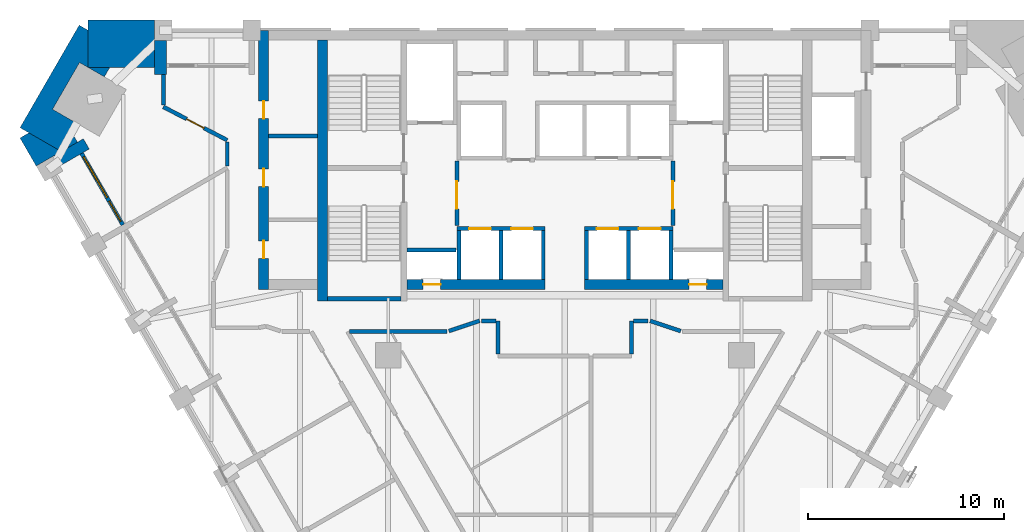
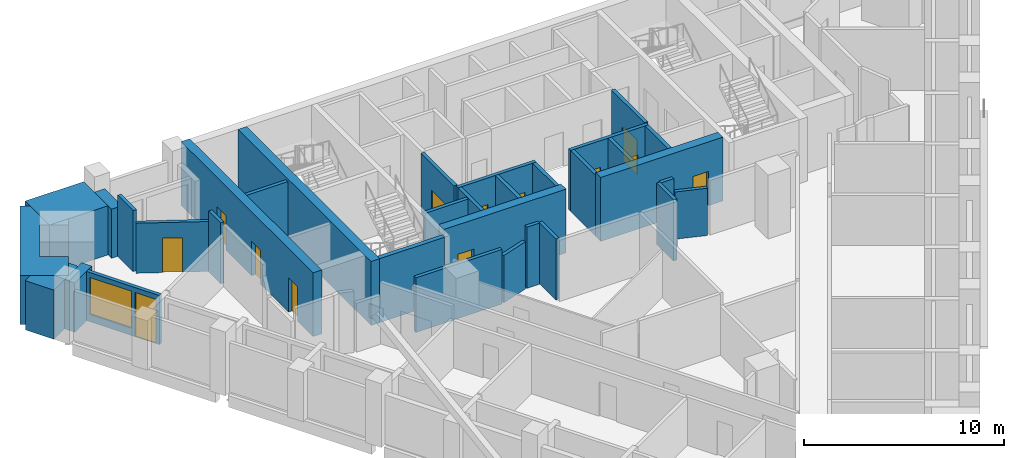
# One storey, part 5 of 10: 34 walls, 13 doors, 1 window, 14 openings.
"""IFC4 building model written with IfcOpenShell, lengths in metres."""

from ifc_helpers import new_model, si_unit, direction, frame, frame_2d, origin, place, context, subcontext, project, spatial, polyline, rectangle, outline, extrude, material, layer, layer_set, type_object, element, fill, save


model = new_model("IFC4")

# Units and contexts
model_context = context("Model", 3, precision=1e-05, world=origin(), true_north=direction((0.0, 1.0)))
body_context = subcontext(model_context, "Body", "Model", "MODEL_VIEW")
ifc_project = project(units=[si_unit("LENGTHUNIT", "METRE"), si_unit("AREAUNIT", "SQUARE_METRE"), si_unit("VOLUMEUNIT", "CUBIC_METRE"), si_unit("PLANEANGLEUNIT", "RADIAN"), si_unit("MASSUNIT", "GRAM", prefix="KILO")], contexts=[model_context])

# Site, building, storey
site_placement = place(None, origin())
site = spatial("IfcSite", under=ifc_project, at=site_placement, CompositionType="ELEMENT")
building_placement = place(site_placement, origin())
building = spatial("IfcBuilding", under=site, at=building_placement, Name="Calabash Gate Tower", CompositionType="ELEMENT")
storey_placement = place(building_placement, frame((0.0, 0.0, 152.39990234375)))
storey = spatial("IfcBuildingStorey", under=building, at=storey_placement, Name="L35", CompositionType="ELEMENT", Elevation=152.39990234375)

# Walls
ifc_material_1 = material(Name="Terracotta brick masonry, exposed face", Category="masonry")
ifc_layer_1 = layer(ifc_material_1, 2.425048828125)
ifc_layer_set_1 = layer_set([ifc_layer_1], Name="Brick corner mass wall 2425")
wall_type_1 = type_object("IfcWallType", Name="Brick corner mass wall 2425", PredefinedType="SOLIDWALL", material=ifc_layer_set_1)
wall_1_placement = place(storey_placement, origin())
element("IfcWall", 1, at=wall_1_placement, inside=storey, type_object=wall_type_1, Name="Brick corner pier S09 4a", PredefinedType="SOLIDWALL", context=body_context, shape_type="SweptSolid", body=[
    extrude(outline(polyline([(-24.280517578125, 17.152587890625), (-20.90478515625, 17.152587890625), (-20.90478515625, 19.57763671875), (-24.28955078125, 19.57763671875), (-24.28955078125, 17.15771484375), (-24.280517578125, 17.152587890625)])), origin(), (0.0, 0.0, 1.0), 3.0),
])
wall_2_placement = place(storey_placement, origin())
element("IfcWall", 2, at=wall_2_placement, inside=storey, type_object=wall_type_1, Name="Brick corner pier S09 4ba", PredefinedType="SOLIDWALL", context=body_context, shape_type="SweptSolid", body=[
    extrude(outline(polyline([(-24.839599609375, 14.2998046875), (-26.100341796875, 15.02783203125), (-24.725341796875, 17.4091796875), (-24.28955078125, 17.15771484375), (-24.28955078125, 19.052490234375), (-24.744140625, 19.31494140625), (-27.759765625, 14.091552734375), (-25.65966796875, 12.879150390625), (-24.839599609375, 14.2998046875)])), origin(), (0.0, 0.0, 1.0), 3.0),
])
wall_3_placement = place(storey_placement, origin())
element("IfcWall", 3, at=wall_3_placement, inside=storey, type_object=wall_type_1, Name="Brick corner pier S09 4bb", PredefinedType="SOLIDWALL", context=body_context, shape_type="SweptSolid", body=[
    extrude(outline(polyline([(-23.192626953125, 17.152587890625), (-24.280517578125, 17.152587890625), (-23.464599609375, 16.681396484375), (-23.192626953125, 17.152587890625)])), origin(), (0.0, 0.0, 1.0), 3.0),
])
wall_4_placement = place(storey_placement, origin())
element("IfcWall", 4, at=wall_4_placement, inside=storey, type_object=wall_type_1, Name="Brick corner pier S09 4c", PredefinedType="SOLIDWALL", context=body_context, shape_type="SweptSolid", body=[
    extrude(outline(polyline([(-24.83447265625, 13.349853515625), (-25.111328125, 13.8291015625), (-25.65966796875, 12.879150390625), (-27.30517578125, 13.8291015625), (-27.759765625, 13.566650390625), (-26.9345703125, 12.13720703125), (-24.83447265625, 13.349853515625)])), origin(), (0.0, 0.0, 1.0), 3.0),
])
ifc_material_2 = material(Name="Terracotta brick masonry, exposed face", Category="masonry")
ifc_layer_2 = layer(ifc_material_2, 0.300048828125)
ifc_layer_set_2 = layer_set([ifc_layer_2], Name="Brick loggia cheek wall 300")
wall_type_2 = type_object("IfcWallType", Name="Brick loggia cheek wall 300", PredefinedType="SOLIDWALL", material=ifc_layer_set_2)
wall_5_placement = place(storey_placement, frame((-25.875244140625, 12.402587890625, 0.0), z_axis=(0.0, 0.0, 1.0), x_axis=(0.866074815912, 0.499914405916, 0.0)))
element("IfcWall", 5, at=wall_5_placement, inside=storey, type_object=wall_type_2, Name="Loggia cheek S09 SW0.0", PredefinedType="SOLIDWALL", context=body_context, shape_type="SweptSolid", body=[
    extrude(rectangle(XDim=1.724853515625, YDim=0.60009765625, at=frame_2d((0.8623046875, 0.0))), origin(), (0.0, 0.0, 1.0), 3.0),
])
wall_6_placement = place(storey_placement, origin())
element("IfcWall", 6, at=wall_6_placement, inside=storey, type_object=wall_type_2, Name="Loggia cheek S09 N6.9", PredefinedType="SOLIDWALL", context=body_context, shape_type="SweptSolid", body=[
    extrude(outline(polyline([(-20.90478515625, 18.527587890625), (-20.90478515625, 16.802490234375), (-20.3046875, 16.802490234375), (-20.3046875, 18.527587890625), (-20.90478515625, 18.527587890625)])), origin(), (0.0, 0.0, 1.0), 3.0),
])
ifc_material_3 = material(Name="Gypsum board on steel studs, mineral wool", Category="steel")
ifc_layer_3 = layer(ifc_material_3, 0.199951171875)
ifc_layer_set_3 = layer_set([ifc_layer_3], Name="Core partition 200 gypsum board")
wall_type_3 = type_object("IfcWallType", Name="Core partition 200 gypsum board", PredefinedType="PARTITIONING", material=ifc_layer_set_3)
wall_7_placement = place(storey_placement, frame((-15.10009765625, 13.672607421875, 0.0), z_axis=(0.0, 0.0, 1.0), x_axis=(1.0, 0.0, 0.0)))
element("IfcWall", 7, at=wall_7_placement, inside=storey, type_object=wall_type_3, Name="Core partition", PredefinedType="PARTITIONING", context=body_context, shape_type="SweptSolid", body=[
    extrude(rectangle(XDim=2.5, YDim=0.199951171875, at=frame_2d((1.25, 0.0))), origin(), (0.0, 0.0, 1.0), 3.72998046875),
])
ifc_material_4 = material(Name="Concrete C70/85", Category="concrete")
ifc_layer_4 = layer(ifc_material_4, 0.25)
ifc_layer_set_4 = layer_set([ifc_layer_4], Name="Core wall 250 Concrete C70/85")
wall_type_4 = type_object("IfcWallType", Name="Core wall 250 Concrete C70/85", PredefinedType="SHEAR", material=ifc_layer_set_4)
wall_8_placement = place(storey_placement, frame((-12.10009765625, 5.377685546875, 0.0), z_axis=(0.0, 0.0, 1.0), x_axis=(1.0, 0.0, 0.0)))
element("IfcWall", 8, at=wall_8_placement, inside=storey, type_object=wall_type_4, Name="Core wall Z3-SSW L35", PredefinedType="SHEAR", context=body_context, shape_type="SweptSolid", body=[
    extrude(rectangle(XDim=3.75, YDim=0.25, at=frame_2d((1.875, 0.0))), origin(), (0.0, 0.0, 1.0), 3.900146484375),
])
ifc_material_5 = material(Name="Concrete C70/85", Category="concrete")
ifc_layer_5 = layer(ifc_material_5, 0.5)
ifc_layer_set_5 = layer_set([ifc_layer_5], Name="Core wall 500 Concrete C70/85")
wall_type_5 = type_object("IfcWallType", Name="Core wall 500 Concrete C70/85", PredefinedType="SHEAR", material=ifc_layer_set_5)
wall_9_placement = place(storey_placement, frame((-12.35009765625, 5.252685546875, 0.0), z_axis=(0.0, 0.0, 1.0), x_axis=(0.0, 1.0, 0.0)))
element("IfcWall", 9, at=wall_9_placement, inside=storey, type_object=wall_type_5, Name="Core wall Z3-COLW L35", PredefinedType="SHEAR", context=body_context, shape_type="SweptSolid", body=[
    extrude(rectangle(XDim=13.2998046875, YDim=0.5, at=frame_2d((6.64990234375, 0.0))), origin(), (0.0, 0.0, 1.0), 3.900146484375),
])

# Wall, opening, door
wall_10_placement = place(storey_placement, frame((-8.050048828125, 6.1025390625, 0.0), z_axis=(0.0, 0.0, 1.0), x_axis=(1.0, 0.0, 0.0)))
wall_10 = element("IfcWall", 10, at=wall_10_placement, inside=storey, type_object=wall_type_5, Name="Core wall Z3-SA L35", PredefinedType="SHEAR", context=body_context, shape_type="SweptSolid", body=[
    extrude(rectangle(XDim=7.050048828125, YDim=0.5, at=frame_2d((3.52490234375, 0.0))), origin(), (0.0, 0.0, 1.0), 3.900146484375),
])
opening_1_placement = place(wall_10_placement, frame((0.824951171875, 0.0, 0.0)))
opening_1 = element("IfcOpeningElement", 11, at=opening_1_placement, cuts=wall_10, Name="Opening O1-015", PredefinedType="OPENING", context=body_context, shape_type="SweptSolid", body=[
    extrude(rectangle(XDim=0.89990234375, YDim=2.10009765625, at=frame_2d((0.449951171875, 1.050048828125))), frame((0.0, 0.260009765625, 0.0), z_axis=(0.0, -1.0, 0.0), x_axis=(1.0, 0.0, 0.0)), (0.0, 0.0, 1.0), 0.52001953125),
])
ifc_material_6 = material(Name="Steel fire door set with fire-resisting glazing", Category="steel")
door_type_1 = type_object("IfcDoorType", Name="Fire door D07 900x2100 FD90", OperationType="NOTDEFINED", PredefinedType="DOOR", material=ifc_material_6)
door_1_placement = place(opening_1_placement, origin())
door_1 = element("IfcDoor", 12, at=door_1_placement, inside=storey, type_object=door_type_1, Name="Electrical Riser W door", OperationType="SINGLE_SWING_LEFT", OverallHeight=2.10009765625, OverallWidth=0.89990234375, PredefinedType="DOOR", context=body_context, shape_type="SweptSolid", body=[
    extrude(rectangle(XDim=0.89990234375, YDim=2.10009765625, at=frame_2d((0.449951171875, 1.050048828125))), frame((0.0, 0.02490234375, 0.0), z_axis=(0.0, -1.0, 0.0), x_axis=(1.0, 0.0, 0.0)), (0.0, 0.0, 1.0), 0.050048828125),
])
fill(opening_1, door_1)

wall_11_placement = place(storey_placement, frame((1.0, 6.1025390625, 0.0), z_axis=(0.0, 0.0, 1.0), x_axis=(1.0, 0.0, 0.0)))
wall_11 = element("IfcWall", 13, at=wall_11_placement, inside=storey, type_object=wall_type_5, Name="Core wall Z3-SB L35", PredefinedType="SHEAR", context=body_context, shape_type="SweptSolid", body=[
    extrude(rectangle(XDim=7.050048828125, YDim=0.5, at=frame_2d((3.52490234375, 0.0))), origin(), (0.0, 0.0, 1.0), 3.900146484375),
])
opening_2_placement = place(wall_11_placement, frame((5.324951171875, 0.0, 0.0)))
opening_2 = element("IfcOpeningElement", 14, at=opening_2_placement, cuts=wall_11, Name="Opening O1-014", PredefinedType="OPENING", context=body_context, shape_type="SweptSolid", body=[
    extrude(rectangle(XDim=0.89990234375, YDim=2.10009765625, at=frame_2d((0.449951171875, 1.050048828125))), frame((0.0, 0.260009765625, 0.0), z_axis=(0.0, -1.0, 0.0), x_axis=(1.0, 0.0, 0.0)), (0.0, 0.0, 1.0), 0.52001953125),
])
door_2_placement = place(opening_2_placement, origin())
door_2 = element("IfcDoor", 15, at=door_2_placement, inside=storey, type_object=door_type_1, Name="Mechanical Riser E door", OperationType="SINGLE_SWING_RIGHT", OverallHeight=2.10009765625, OverallWidth=0.89990234375, PredefinedType="DOOR", context=body_context, shape_type="SweptSolid", body=[
    extrude(rectangle(XDim=0.89990234375, YDim=2.10009765625, at=frame_2d((0.449951171875, 1.050048828125))), frame((0.0, 0.02490234375, 0.0), z_axis=(0.0, -1.0, 0.0), x_axis=(1.0, 0.0, 0.0)), (0.0, 0.0, 1.0), 0.050048828125),
])
fill(opening_2, door_2)

# Wall, openings, doors
wall_12_placement = place(storey_placement, frame((-15.35009765625, 5.8525390625, 0.0), z_axis=(0.0, 0.0, 1.0), x_axis=(0.0, 1.0, 0.0)))
wall_12 = element("IfcWall", 16, at=wall_12_placement, inside=storey, type_object=wall_type_5, Name="Core wall Z3-ENDW L35", PredefinedType="SHEAR", context=body_context, shape_type="SweptSolid", body=[
    extrude(rectangle(XDim=13.199951171875, YDim=0.5, at=frame_2d((6.60009765625, 0.0))), origin(), (0.0, 0.0, 1.0), 3.900146484375),
])
opening_3_placement = place(wall_12_placement, frame((1.574951171875, 0.0, 0.0)))
opening_3 = element("IfcOpeningElement", 17, at=opening_3_placement, cuts=wall_12, Name="Opening O1-004", PredefinedType="OPENING", context=body_context, shape_type="SweptSolid", body=[
    extrude(rectangle(XDim=0.89990234375, YDim=2.10009765625, at=frame_2d((0.449951171875, 1.050048828125))), frame((0.0, 0.260009765625, 0.0), z_axis=(0.0, -1.0, 0.0), x_axis=(1.0, 0.0, 0.0)), (0.0, 0.0, 1.0), 0.52001953125),
])
opening_4_placement = place(wall_12_placement, frame((5.235107421875, 0.0, 0.0)))
opening_4 = element("IfcOpeningElement", 18, at=opening_4_placement, cuts=wall_12, Name="Opening O1-005", PredefinedType="OPENING", context=body_context, shape_type="SweptSolid", body=[
    extrude(rectangle(XDim=0.89990234375, YDim=2.10009765625, at=frame_2d((0.449951171875, 1.050048828125))), frame((0.0, 0.260009765625, 0.0), z_axis=(0.0, -1.0, 0.0), x_axis=(1.0, 0.0, 0.0)), (0.0, 0.0, 1.0), 0.52001953125),
])
opening_5_placement = place(wall_12_placement, frame((8.697509765625, 0.0, 0.0)))
opening_5 = element("IfcOpeningElement", 19, at=opening_5_placement, cuts=wall_12, Name="Opening O1-006", PredefinedType="OPENING", context=body_context, shape_type="SweptSolid", body=[
    extrude(rectangle(XDim=0.89990234375, YDim=2.10009765625, at=frame_2d((0.449951171875, 1.050048828125))), frame((0.0, 0.260009765625, 0.0), z_axis=(0.0, -1.0, 0.0), x_axis=(1.0, 0.0, 0.0)), (0.0, 0.0, 1.0), 0.52001953125),
])
ifc_material_7 = material(Name="Steel fire door set with fire-resisting glazing", Category="steel")
door_type_2 = type_object("IfcDoorType", Name="Fire door D06 900x2100 FD60", OperationType="NOTDEFINED", PredefinedType="DOOR", material=ifc_material_7)
door_3_placement = place(opening_3_placement, origin())
door_3 = element("IfcDoor", 20, at=door_3_placement, inside=storey, type_object=door_type_2, Name="Men's WC door", OperationType="SINGLE_SWING_LEFT", OverallHeight=2.10009765625, OverallWidth=0.89990234375, PredefinedType="DOOR", context=body_context, shape_type="SweptSolid", body=[
    extrude(rectangle(XDim=0.89990234375, YDim=2.10009765625, at=frame_2d((0.449951171875, 1.050048828125))), frame((0.0, 0.02490234375, 0.0), z_axis=(0.0, -1.0, 0.0), x_axis=(1.0, 0.0, 0.0)), (0.0, 0.0, 1.0), 0.050048828125),
])
fill(opening_3, door_3)
door_4_placement = place(opening_4_placement, origin())
door_4 = element("IfcDoor", 21, at=door_4_placement, inside=storey, type_object=door_type_2, Name="Women's WC door", OperationType="SINGLE_SWING_LEFT", OverallHeight=2.10009765625, OverallWidth=0.89990234375, PredefinedType="DOOR", context=body_context, shape_type="SweptSolid", body=[
    extrude(rectangle(XDim=0.89990234375, YDim=2.10009765625, at=frame_2d((0.449951171875, 1.050048828125))), frame((0.0, 0.02490234375, 0.0), z_axis=(0.0, -1.0, 0.0), x_axis=(1.0, 0.0, 0.0)), (0.0, 0.0, 1.0), 0.050048828125),
])
fill(opening_4, door_4)
door_5_placement = place(opening_5_placement, origin())
door_5 = element("IfcDoor", 22, at=door_5_placement, inside=storey, type_object=door_type_2, Name="Tenant Pantry door", OperationType="SINGLE_SWING_LEFT", OverallHeight=2.10009765625, OverallWidth=0.89990234375, PredefinedType="DOOR", context=body_context, shape_type="SweptSolid", body=[
    extrude(rectangle(XDim=0.89990234375, YDim=2.10009765625, at=frame_2d((0.449951171875, 1.050048828125))), frame((0.0, 0.02490234375, 0.0), z_axis=(0.0, -1.0, 0.0), x_axis=(1.0, 0.0, 0.0)), (0.0, 0.0, 1.0), 0.050048828125),
])
fill(opening_5, door_5)

# Walls
ifc_material_8 = material(Name="Gypsum board on steel studs, mineral wool", Category="steel")
ifc_layer_6 = layer(ifc_material_8, 0.199951171875)
ifc_layer_set_6 = layer_set([ifc_layer_6], Name="Partition 200 gypsum board EI 60")
wall_type_6 = type_object("IfcWallType", Name="Partition 200 gypsum board EI 60", PredefinedType="PARTITIONING", material=ifc_layer_set_6)
wall_13_placement = place(storey_placement, frame((-3.402099609375, 4.25048828125, 0.0), z_axis=(0.0, 0.0, 1.0), x_axis=(0.001150250857, -0.999999338461, 0.0)))
element("IfcWall", 23, at=wall_13_placement, inside=storey, type_object=wall_type_6, Name="Partition", PredefinedType="PARTITIONING", context=body_context, shape_type="SweptSolid", body=[
    extrude(rectangle(XDim=1.697998046875, YDim=0.199951171875, at=frame_2d((0.84912109375, 0.0))), origin(), (0.0, 0.0, 1.0), 3.72998046875),
])
wall_14_placement = place(storey_placement, frame((-10.964599609375, 3.69970703125, 0.0), z_axis=(0.0, 0.0, 1.0), x_axis=(1.0, 0.0, 0.0)))
element("IfcWall", 24, at=wall_14_placement, inside=storey, type_object=wall_type_6, Name="Partition", PredefinedType="PARTITIONING", context=body_context, shape_type="SweptSolid", body=[
    extrude(rectangle(XDim=4.964599609375, YDim=0.199951171875, at=frame_2d((2.482421875, 0.0))), origin(), (0.0, 0.0, 1.0), 3.331787109375),
])
for number, where, z_axis, x_axis, name in (
    (25, (4.34228515625, 4.25244140625, 0.0), (0.0, 0.0, 1.0), (0.948668476379, -0.316272227557, 0.0), "Partition"),
    (26, (-5.905029296875, 3.7314453125, 0.0), (0.0, 0.0, 1.0), (0.948668476379, 0.316272227557, 0.0), "Partition"),
):
    element("IfcWall", number, at=place(storey_placement, frame(where, z_axis=z_axis, x_axis=x_axis)), inside=storey, type_object=wall_type_6, Name=name, PredefinedType="PARTITIONING", context=body_context, shape_type="SweptSolid", body=[
        extrude(rectangle(XDim=1.647216796875, YDim=0.199951171875, at=frame_2d((0.82373046875, 0.0))), origin(), (0.0, 0.0, 1.0), 2.88427734375),
    ])
wall_15_placement = place(storey_placement, frame((-4.2421875, 4.252197265625, 0.0), z_axis=(0.0, 0.0, 1.0), x_axis=(0.999998041999, -0.001978887946, 0.0)))
element("IfcWall", 27, at=wall_15_placement, inside=storey, type_object=wall_type_6, Name="Partition", PredefinedType="PARTITIONING", context=body_context, shape_type="SweptSolid", body=[
    extrude(rectangle(XDim=0.740234375, YDim=0.199951171875, at=frame_2d((0.3701171875, 0.0))), origin(), (0.0, 0.0, 1.0), 3.72998046875),
])
wall_16_placement = place(storey_placement, frame((3.400146484375, 2.552490234375, 0.0), z_axis=(0.0, 0.0, 1.0), x_axis=(0.001150250857, 0.999999338461, 0.0)))
element("IfcWall", 28, at=wall_16_placement, inside=storey, type_object=wall_type_6, Name="Partition", PredefinedType="PARTITIONING", context=body_context, shape_type="SweptSolid", body=[
    extrude(rectangle(XDim=1.697998046875, YDim=0.199951171875, at=frame_2d((0.84912109375, 0.0))), origin(), (0.0, 0.0, 1.0), 3.72998046875),
])
wall_17_placement = place(storey_placement, frame((3.501953125, 4.250732421875, 0.0), z_axis=(0.0, 0.0, 1.0), x_axis=(0.999998041999, 0.001978887946, 0.0)))
element("IfcWall", 29, at=wall_17_placement, inside=storey, type_object=wall_type_6, Name="Partition", PredefinedType="PARTITIONING", context=body_context, shape_type="SweptSolid", body=[
    extrude(rectangle(XDim=0.740234375, YDim=0.199951171875, at=frame_2d((0.3701171875, 0.0))), origin(), (0.0, 0.0, 1.0), 3.72998046875),
])
wall_18_placement = place(storey_placement, frame((-17.201904296875, 12.140869140625, 0.0), z_axis=(0.0, 0.0, 1.0), x_axis=(0.001007657691, 0.999999492313, 0.0)))
element("IfcWall", 30, at=wall_18_placement, inside=storey, type_object=wall_type_6, Name="Partition", PredefinedType="PARTITIONING", context=body_context, shape_type="SweptSolid", body=[
    extrude(rectangle(XDim=1.21142578125, YDim=0.199951171875, at=frame_2d((0.605712890625, 0.0))), origin(), (0.0, 0.0, 1.0), 3.72998046875),
])

# Wall, opening, door
wall_19_placement = place(storey_placement, frame((-20.455078125, 15.15234375, 0.0), z_axis=(0.0, 0.0, 1.0), x_axis=(0.886374912087, -0.462968157892, 0.0)))
wall_19 = element("IfcWall", 31, at=wall_19_placement, inside=storey, type_object=wall_type_6, Name="Partition", PredefinedType="PARTITIONING", context=body_context, shape_type="SweptSolid", body=[
    extrude(rectangle(XDim=3.671875, YDim=0.199951171875, at=frame_2d((1.8359375, 0.0))), origin(), (0.0, 0.0, 1.0), 3.052001953125),
])
opening_6_placement = place(wall_19_placement, frame((1.3359375, 0.0, 0.0)))
opening_6 = element("IfcOpeningElement", 32, at=opening_6_placement, cuts=wall_19, Name="Opening 33-35-013", PredefinedType="OPENING", context=body_context, shape_type="SweptSolid", body=[
    extrude(rectangle(XDim=1.0, YDim=2.10009765625, at=frame_2d((0.5, 1.050048828125))), frame((0.0, 0.10986328125, 0.0), z_axis=(0.0, -1.0, 0.0), x_axis=(1.0, 0.0, 0.0)), (0.0, 0.0, 1.0), 0.219970703125),
])
ifc_material_9 = material(Name="Steel fire door set with fire-resisting glazing", Category="steel")
door_type_3 = type_object("IfcDoorType", Name="LD2 Meeting room door 1000x2100", OperationType="NOTDEFINED", PredefinedType="DOOR", material=ifc_material_9)
door_6_placement = place(opening_6_placement, origin())
door_6 = element("IfcDoor", 33, at=door_6_placement, inside=storey, type_object=door_type_3, Name="Meeting room door", OperationType="SINGLE_SWING_RIGHT", OverallHeight=2.10009765625, OverallWidth=1.0, PredefinedType="DOOR", context=body_context, shape_type="SweptSolid", body=[
    extrude(rectangle(XDim=1.0, YDim=2.10009765625, at=frame_2d((0.5, 1.050048828125))), frame((0.0, 0.02490234375, 0.0), z_axis=(0.0, -1.0, 0.0), x_axis=(1.0, 0.0, 0.0)), (0.0, 0.0, 1.0), 0.050048828125),
])
fill(opening_6, door_6)

# Walls
wall_20_placement = place(storey_placement, frame((-20.455078125, 16.802490234375, 0.0), z_axis=(0.0, 0.0, 1.0), x_axis=(0.0, -1.0, 0.0)))
element("IfcWall", 34, at=wall_20_placement, inside=storey, type_object=wall_type_6, Name="Partition", PredefinedType="PARTITIONING", context=body_context, shape_type="SweptSolid", body=[
    extrude(rectangle(XDim=1.55029296875, YDim=0.199951171875, at=frame_2d((0.775146484375, 0.0))), origin(), (0.0, 0.0, 1.0), 3.72998046875),
])
ifc_material_10 = material(Name="Concrete C40/50", Category="concrete")
ifc_layer_7 = layer(ifc_material_10, 0.199951171875)
ifc_layer_set_7 = layer_set([ifc_layer_7], Name="Shaft wall 200 Concrete C40/50")
wall_type_7 = type_object("IfcWallType", Name="Shaft wall 200 Concrete C40/50", PredefinedType="SOLIDWALL", material=ifc_layer_set_7)
for number, where, z_axis, x_axis, name in (
    (35, (-5.39990234375, 6.3525390625, 0.0), (0.0, 0.0, 1.0), (0.0, 1.0, 0.0), "Shaft wall"),
    (36, (-3.25, 6.3525390625, 0.0), (0.0, 0.0, 1.0), (0.0, 1.0, 0.0), "Shaft wall"),
    (37, (-1.10009765625, 6.3525390625, 0.0), (0.0, 0.0, 1.0), (0.0, 1.0, 0.0), "Shaft wall"),
    (38, (1.10009765625, 6.3525390625, 0.0), (0.0, 0.0, 1.0), (0.0, 1.0, 0.0), "Shaft wall"),
    (39, (3.25, 6.3525390625, 0.0), (0.0, 0.0, 1.0), (0.0, 1.0, 0.0), "Shaft wall"),
    (40, (5.39990234375, 6.3525390625, 0.0), (0.0, 0.0, 1.0), (0.0, 1.0, 0.0), "Shaft wall"),
    (41, (-8.050048828125, 7.8525390625, 0.0), (0.0, 0.0, 1.0), (1.0, 0.0, 0.0), "Shaft wall"),
):
    element("IfcWall", number, at=place(storey_placement, frame(where, z_axis=z_axis, x_axis=x_axis)), inside=storey, type_object=wall_type_7, Name=name, PredefinedType="SOLIDWALL", context=body_context, shape_type="SweptSolid", body=[
        extrude(rectangle(XDim=2.5, YDim=0.199951171875, at=frame_2d((1.25, 0.0))), origin(), (0.0, 0.0, 1.0), 3.72998046875),
    ])

# Wall, openings, doors
wall_21_placement = place(storey_placement, frame((-5.5, 8.95263671875, 0.0), z_axis=(0.0, 0.0, 1.0), x_axis=(1.0, 0.0, 0.0)))
wall_21 = element("IfcWall", 42, at=wall_21_placement, inside=storey, type_object=wall_type_7, Name="Shaft wall", PredefinedType="SOLIDWALL", context=body_context, shape_type="SweptSolid", body=[
    extrude(rectangle(XDim=4.5, YDim=0.199951171875, at=frame_2d((2.25, 0.0))), origin(), (0.0, 0.0, 1.0), 3.72998046875),
])
opening_7_placement = place(wall_21_placement, frame((0.625, 0.0, 0.0)))
opening_7 = element("IfcOpeningElement", 43, at=opening_7_placement, cuts=wall_21, Name="Opening LD-HR1", PredefinedType="OPENING", context=body_context, shape_type="SweptSolid", body=[
    extrude(rectangle(XDim=1.10009765625, YDim=2.10009765625, at=frame_2d((0.550048828125, 1.050048828125))), frame((0.0, 0.10986328125, 0.0), z_axis=(0.0, -1.0, 0.0), x_axis=(1.0, 0.0, 0.0)), (0.0, 0.0, 1.0), 0.219970703125),
])
opening_8_placement = place(wall_21_placement, frame((2.77490234375, 0.0, 0.0)))
opening_8 = element("IfcOpeningElement", 44, at=opening_8_placement, cuts=wall_21, Name="Opening LD-HR2", PredefinedType="OPENING", context=body_context, shape_type="SweptSolid", body=[
    extrude(rectangle(XDim=1.10009765625, YDim=2.10009765625, at=frame_2d((0.550048828125, 1.050048828125))), frame((0.0, 0.10986328125, 0.0), z_axis=(0.0, -1.0, 0.0), x_axis=(1.0, 0.0, 0.0)), (0.0, 0.0, 1.0), 0.219970703125),
])
ifc_material_11 = material(Name="Stainless steel sliding door leaves", Category="steel")
door_type_4 = type_object("IfcDoorType", Name="Lift landing door LS1 1100x2100 FD90", OperationType="DOUBLE_DOOR_SLIDING", PredefinedType="DOOR", material=ifc_material_11)
door_7_placement = place(opening_7_placement, origin())
door_7 = element("IfcDoor", 45, at=door_7_placement, inside=storey, type_object=door_type_4, Name="Lift landing door HR1", OperationType="DOUBLE_DOOR_SLIDING", OverallHeight=2.10009765625, OverallWidth=1.10009765625, PredefinedType="DOOR", context=body_context, shape_type="SweptSolid", body=[
    extrude(rectangle(XDim=1.10009765625, YDim=2.10009765625, at=frame_2d((0.550048828125, 1.050048828125))), frame((0.0, 0.02490234375, 0.0), z_axis=(0.0, -1.0, 0.0), x_axis=(1.0, 0.0, 0.0)), (0.0, 0.0, 1.0), 0.050048828125),
])
fill(opening_7, door_7)
door_8_placement = place(opening_8_placement, origin())
door_8 = element("IfcDoor", 46, at=door_8_placement, inside=storey, type_object=door_type_4, Name="Lift landing door HR2", OperationType="DOUBLE_DOOR_SLIDING", OverallHeight=2.10009765625, OverallWidth=1.10009765625, PredefinedType="DOOR", context=body_context, shape_type="SweptSolid", body=[
    extrude(rectangle(XDim=1.10009765625, YDim=2.10009765625, at=frame_2d((0.550048828125, 1.050048828125))), frame((0.0, 0.02490234375, 0.0), z_axis=(0.0, -1.0, 0.0), x_axis=(1.0, 0.0, 0.0)), (0.0, 0.0, 1.0), 0.050048828125),
])
fill(opening_8, door_8)

wall_22_placement = place(storey_placement, frame((1.0, 8.95263671875, 0.0), z_axis=(0.0, 0.0, 1.0), x_axis=(1.0, 0.0, 0.0)))
wall_22 = element("IfcWall", 47, at=wall_22_placement, inside=storey, type_object=wall_type_7, Name="Shaft wall", PredefinedType="SOLIDWALL", context=body_context, shape_type="SweptSolid", body=[
    extrude(rectangle(XDim=4.5, YDim=0.199951171875, at=frame_2d((2.25, 0.0))), origin(), (0.0, 0.0, 1.0), 3.72998046875),
])
opening_9_placement = place(wall_22_placement, frame((0.625, 0.0, 0.0)))
opening_9 = element("IfcOpeningElement", 48, at=opening_9_placement, cuts=wall_22, Name="Opening LD-HR3", PredefinedType="OPENING", context=body_context, shape_type="SweptSolid", body=[
    extrude(rectangle(XDim=1.10009765625, YDim=2.10009765625, at=frame_2d((0.550048828125, 1.050048828125))), frame((0.0, 0.10986328125, 0.0), z_axis=(0.0, -1.0, 0.0), x_axis=(1.0, 0.0, 0.0)), (0.0, 0.0, 1.0), 0.219970703125),
])
opening_10_placement = place(wall_22_placement, frame((2.77490234375, 0.0, 0.0)))
opening_10 = element("IfcOpeningElement", 49, at=opening_10_placement, cuts=wall_22, Name="Opening LD-HR4", PredefinedType="OPENING", context=body_context, shape_type="SweptSolid", body=[
    extrude(rectangle(XDim=1.10009765625, YDim=2.10009765625, at=frame_2d((0.550048828125, 1.050048828125))), frame((0.0, 0.10986328125, 0.0), z_axis=(0.0, -1.0, 0.0), x_axis=(1.0, 0.0, 0.0)), (0.0, 0.0, 1.0), 0.219970703125),
])
door_9_placement = place(opening_9_placement, origin())
door_9 = element("IfcDoor", 50, at=door_9_placement, inside=storey, type_object=door_type_4, Name="Lift landing door HR3", OperationType="DOUBLE_DOOR_SLIDING", OverallHeight=2.10009765625, OverallWidth=1.10009765625, PredefinedType="DOOR", context=body_context, shape_type="SweptSolid", body=[
    extrude(rectangle(XDim=1.10009765625, YDim=2.10009765625, at=frame_2d((0.550048828125, 1.050048828125))), frame((0.0, 0.02490234375, 0.0), z_axis=(0.0, -1.0, 0.0), x_axis=(1.0, 0.0, 0.0)), (0.0, 0.0, 1.0), 0.050048828125),
])
fill(opening_9, door_9)
door_10_placement = place(opening_10_placement, origin())
door_10 = element("IfcDoor", 51, at=door_10_placement, inside=storey, type_object=door_type_4, Name="Lift landing door HR4", OperationType="DOUBLE_DOOR_SLIDING", OverallHeight=2.10009765625, OverallWidth=1.10009765625, PredefinedType="DOOR", context=body_context, shape_type="SweptSolid", body=[
    extrude(rectangle(XDim=1.10009765625, YDim=2.10009765625, at=frame_2d((0.550048828125, 1.050048828125))), frame((0.0, 0.02490234375, 0.0), z_axis=(0.0, -1.0, 0.0), x_axis=(1.0, 0.0, 0.0)), (0.0, 0.0, 1.0), 0.050048828125),
])
fill(opening_10, door_10)

# Wall, opening, door
wall_23_placement = place(storey_placement, frame((-5.5, 9.1025390625, 0.0), z_axis=(0.0, 0.0, 1.0), x_axis=(0.0, 1.0, 0.0)))
wall_23 = element("IfcWall", 52, at=wall_23_placement, inside=storey, type_object=wall_type_7, Name="Shaft wall", PredefinedType="SOLIDWALL", context=body_context, shape_type="SweptSolid", body=[
    extrude(rectangle(XDim=3.300048828125, YDim=0.199951171875, at=frame_2d((1.64990234375, 0.0))), origin(), (0.0, 0.0, 1.0), 3.72998046875),
])
opening_11_placement = place(wall_23_placement, frame((0.85009765625, 0.0, 0.0)))
opening_11 = element("IfcOpeningElement", 53, at=opening_11_placement, cuts=wall_23, Name="Opening O1-009", PredefinedType="OPENING", context=body_context, shape_type="SweptSolid", body=[
    extrude(rectangle(XDim=1.39990234375, YDim=2.10009765625, at=frame_2d((0.699951171875, 1.050048828125))), frame((0.0, 0.10986328125, 0.0), z_axis=(0.0, -1.0, 0.0), x_axis=(1.0, 0.0, 0.0)), (0.0, 0.0, 1.0), 0.219970703125),
])
ifc_material_12 = material(Name="Steel fire door set with fire-resisting glazing", Category="steel")
door_type_5 = type_object("IfcDoorType", Name="Fire door D05 1400x2100 FD90", OperationType="NOTDEFINED", PredefinedType="DOOR", material=ifc_material_12)
door_11_placement = place(opening_11_placement, origin())
door_11 = element("IfcDoor", 54, at=door_11_placement, inside=storey, type_object=door_type_5, Name="Firefighting Lobby W door", OperationType="SINGLE_SWING_RIGHT", OverallHeight=2.10009765625, OverallWidth=1.39990234375, PredefinedType="DOOR", context=body_context, shape_type="SweptSolid", body=[
    extrude(rectangle(XDim=1.39990234375, YDim=2.10009765625, at=frame_2d((0.699951171875, 1.050048828125))), frame((0.0, 0.02490234375, 0.0), z_axis=(0.0, -1.0, 0.0), x_axis=(1.0, 0.0, 0.0)), (0.0, 0.0, 1.0), 0.050048828125),
])
fill(opening_11, door_11)

wall_24_placement = place(storey_placement, frame((5.5, 9.1025390625, 0.0), z_axis=(0.0, 0.0, 1.0), x_axis=(0.0, 1.0, 0.0)))
wall_24 = element("IfcWall", 55, at=wall_24_placement, inside=storey, type_object=wall_type_7, Name="Shaft wall", PredefinedType="SOLIDWALL", context=body_context, shape_type="SweptSolid", body=[
    extrude(rectangle(XDim=3.300048828125, YDim=0.199951171875, at=frame_2d((1.64990234375, 0.0))), origin(), (0.0, 0.0, 1.0), 3.72998046875),
])
opening_12_placement = place(wall_24_placement, frame((0.85009765625, 0.0, 0.0)))
opening_12 = element("IfcOpeningElement", 56, at=opening_12_placement, cuts=wall_24, Name="Opening O1-008", PredefinedType="OPENING", context=body_context, shape_type="SweptSolid", body=[
    extrude(rectangle(XDim=1.39990234375, YDim=2.10009765625, at=frame_2d((0.699951171875, 1.050048828125))), frame((0.0, 0.10986328125, 0.0), z_axis=(0.0, -1.0, 0.0), x_axis=(1.0, 0.0, 0.0)), (0.0, 0.0, 1.0), 0.219970703125),
])
door_12_placement = place(opening_12_placement, origin())
door_12 = element("IfcDoor", 57, at=door_12_placement, inside=storey, type_object=door_type_5, Name="Firefighting Lobby E door", OperationType="SINGLE_SWING_LEFT", OverallHeight=2.10009765625, OverallWidth=1.39990234375, PredefinedType="DOOR", context=body_context, shape_type="SweptSolid", body=[
    extrude(rectangle(XDim=1.39990234375, YDim=2.10009765625, at=frame_2d((0.699951171875, 1.050048828125))), frame((0.0, 0.02490234375, 0.0), z_axis=(0.0, -1.0, 0.0), x_axis=(1.0, 0.0, 0.0)), (0.0, 0.0, 1.0), 0.050048828125),
])
fill(opening_12, door_12)

# Wall, openings, door, window
ifc_material_13 = material(Name="Aluminium framed window wall with insulated spandrel", Category="aluminium")
ifc_layer_8 = layer(ifc_material_13, 0.199951171875)
ifc_layer_set_8 = layer_set([ifc_layer_8], Name="Window wall 200")
wall_type_8 = type_object("IfcWallType", Name="Window wall 200", PredefinedType="ELEMENTEDWALL", material=ifc_layer_set_8)
wall_25_placement = place(storey_placement, frame((-24.62109375, 12.7802734375, 0.0), z_axis=(0.0, 0.0, 1.0), x_axis=(0.499958946799, -0.866049104564, 0.0)))
wall_25 = element("IfcWall", 58, at=wall_25_placement, inside=storey, type_object=wall_type_8, Name="Window wall S09 SW0.1", PredefinedType="ELEMENTEDWALL", context=body_context, shape_type="SweptSolid", body=[
    extrude(rectangle(XDim=4.199951171875, YDim=0.199951171875, at=frame_2d((2.10009765625, 0.0))), origin(), (0.0, 0.0, 1.0), 3.0),
])
opening_13_placement = place(wall_25_placement, frame((0.199951171875, 0.0, 0.449951171875)))
opening_13 = element("IfcOpeningElement", 59, at=opening_13_placement, cuts=wall_25, Name="Opening OW1", PredefinedType="OPENING", context=body_context, shape_type="SweptSolid", body=[
    extrude(rectangle(XDim=2.39990234375, YDim=2.25, at=frame_2d((1.199951171875, 1.125))), frame((0.0, 0.10986328125, 0.0), z_axis=(0.0, -1.0, 0.0), x_axis=(1.0, 0.0, 0.0)), (0.0, 0.0, 1.0), 0.219970703125),
])
opening_14_placement = place(wall_25_placement, frame((2.800048828125, 0.0, 0.0)))
opening_14 = element("IfcOpeningElement", 60, at=opening_14_placement, cuts=wall_25, Name="Opening O1-024", PredefinedType="OPENING", context=body_context, shape_type="SweptSolid", body=[
    extrude(rectangle(XDim=1.199951171875, YDim=2.699951171875, at=frame_2d((0.60009765625, 1.35009765625))), frame((0.0, 0.10986328125, 0.0), z_axis=(0.0, -1.0, 0.0), x_axis=(1.0, 0.0, 0.0)), (0.0, 0.0, 1.0), 0.219970703125),
])
ifc_material_14 = material(Name="Anodised aluminium frame, bronze finish, impact-rated laminated clear glazing", Category="aluminium")
door_type_6 = type_object("IfcDoorType", Name="Loggia door DO1 1200x2700", OperationType="SLIDING_TO_LEFT", PredefinedType="DOOR", material=ifc_material_14)
door_13_placement = place(opening_14_placement, origin())
door_13 = element("IfcDoor", 61, at=door_13_placement, inside=storey, type_object=door_type_6, Name="Loggia door S09 SW0.1", OperationType="SINGLE_SWING_LEFT", OverallHeight=2.699951171875, OverallWidth=1.199951171875, PredefinedType="DOOR", context=body_context, shape_type="SweptSolid", body=[
    extrude(rectangle(XDim=1.199951171875, YDim=2.699951171875, at=frame_2d((0.60009765625, 1.35009765625))), frame((0.0, 0.02490234375, 0.0), z_axis=(0.0, -1.0, 0.0), x_axis=(1.0, 0.0, 0.0)), (0.0, 0.0, 1.0), 0.050048828125),
])
fill(opening_14, door_13)
ifc_material_15 = material(Name="Anodised aluminium frame, bronze finish, impact-rated laminated clear glazing", Category="aluminium")
window_type = type_object("IfcWindowType", Name="Window OW1 2400x2250", PartitioningType="DOUBLE_PANEL_VERTICAL", PredefinedType="WINDOW", material=ifc_material_15)
window_placement = place(opening_13_placement, origin())
window = element("IfcWindow", 62, at=window_placement, inside=storey, type_object=window_type, Name="Window OW1 S09 SW0.1", OverallHeight=2.25, OverallWidth=2.39990234375, PartitioningType="SINGLE_PANEL", PredefinedType="WINDOW", context=body_context, shape_type="SweptSolid", body=[
    extrude(rectangle(XDim=2.39990234375, YDim=2.25, at=frame_2d((1.199951171875, 1.125))), frame((0.0, 0.030029296875, 0.0), z_axis=(0.0, -1.0, 0.0), x_axis=(1.0, 0.0, 0.0)), (0.0, 0.0, 1.0), 0.06005859375),
])
fill(opening_13, window)

save(model, "model.ifc")
